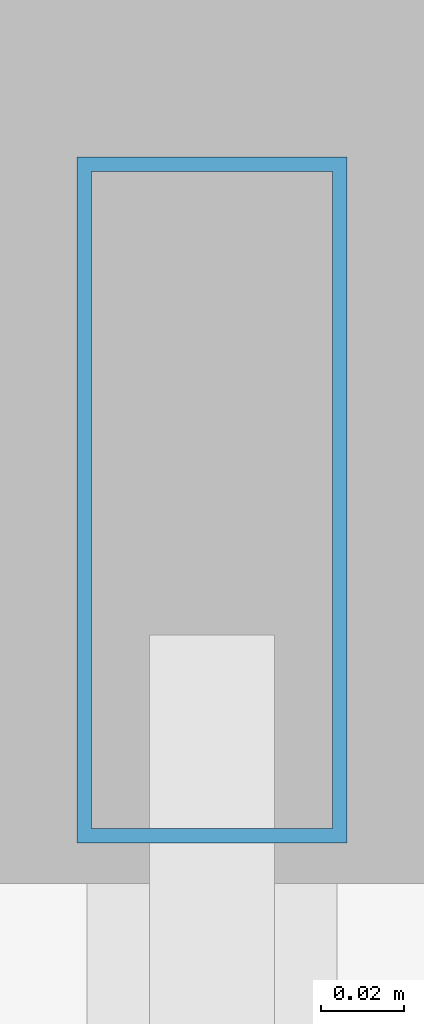
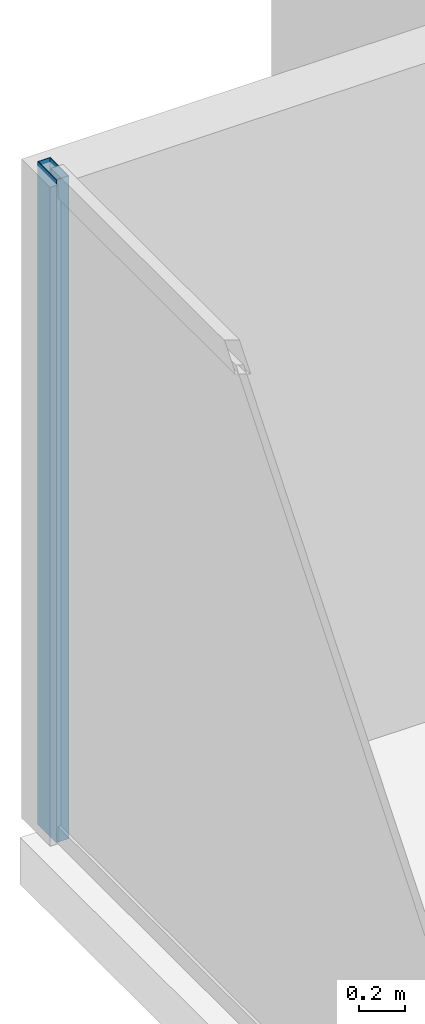
# One storey, part 12 of 24: 1 member, 1 element without a shape of its own.
"""IFC4 building model written with IfcOpenShell, lengths in metres."""

from ifc_helpers import new_model, si_unit, direction, frame, origin, origin_2d, place, context, subcontext, project, spatial, hollow_rectangle, extrude, source, transform, mapped, material, layer, layer_set, material_profile, profile_set, type_object, type_shapes, element, aggregate, save


model = new_model("IFC4")

# Units and contexts
model_context = context("Model", 3, precision=1e-05, world=origin(), true_north=direction((0.0, 1.0)))
body_context = subcontext(model_context, "Body", "Model", "MODEL_VIEW")
ifc_project = project(units=[si_unit("LENGTHUNIT", "METRE"), si_unit("AREAUNIT", "SQUARE_METRE"), si_unit("VOLUMEUNIT", "CUBIC_METRE"), si_unit("PLANEANGLEUNIT", "RADIAN"), si_unit("MASSUNIT", "GRAM", prefix="KILO")], contexts=[model_context])

# Site, building, storey
site_placement = place(None, origin())
site = spatial("IfcSite", under=ifc_project, at=site_placement, CompositionType="ELEMENT")
building_placement = place(site_placement, origin())
building = spatial("IfcBuilding", under=site, at=building_placement, Name="Varnel Quay Broadcast Tower", CompositionType="ELEMENT")
storey_placement = place(building_placement, frame((0.0, 0.0, 285.0)))
storey = spatial("IfcBuildingStorey", under=building, at=storey_placement, Name="L71", CompositionType="ELEMENT", Elevation=285.0)

# Curtain wall, member
ifc_material = material(Name="Anodised Bronze Aluminium 6063-T6", Category="aluminium")
ifc_layer = layer(ifc_material, 0.18994140625, Name="Anodised Bronze Aluminium 6063-T6")
ifc_layer_set = layer_set([ifc_layer], Name="Anodised Bronze Aluminium 6063-T6")
curtain_wall_type = type_object("IfcCurtainWallType", Name="CW_UpperTower", PredefinedType="NOTDEFINED", material=ifc_layer_set)
curtain_wall_placement = place(storey_placement, origin())
curtain_wall = element("IfcCurtainWall", 1, at=curtain_wall_placement, inside=storey, type_object=curtain_wall_type, Name="L71 West Unitised Curtain Wall", PredefinedType="NOTDEFINED")
ifc_material_profile = material_profile(ifc_material, hollow_rectangle(XDim=0.06494140625, YDim=0.1650390625, WallThickness=0.00341796875, at=origin_2d()), Name="ALU65X165X3.5")
ifc_profile_set = profile_set([ifc_material_profile], Name="Anodised Bronze Aluminium 6063-T6")
member_type = type_object("IfcMemberType", Name="Mull_CWS-03", PredefinedType="MULLION", material=ifc_profile_set)
shared_shape = source(origin(), body_context, "Body", "SweptSolid", [
    extrude(hollow_rectangle(XDim=0.06494140625, YDim=0.1650390625, WallThickness=0.00341796875, at=origin_2d()), origin(), (0.0, 0.0, 1.0), 3.550048828125),
])
type_shapes(member_type, [shared_shape])
member_placement = place(storey_placement, frame((12.14990234375, 43.5673828125, 0.0), z_axis=(0.0, 0.0, 1.0), x_axis=(-1.0, 0.0, 0.0)))
member = element("IfcMember", 2, at=member_placement, type_object=member_type, Name="CWS-03 mullion 3", PredefinedType="MULLION", context=body_context, shape_type="MappedRepresentation", body=[
    mapped(shared_shape, transform((0.0, 0.0, 0.0), x_axis=(1.0, 0.0, 0.0), y_axis=(0.0, 1.0, 0.0), z_axis=(0.0, 0.0, 1.0), scale=1.0)),
])
aggregate(curtain_wall, [member])

save(model, "model.ifc")
